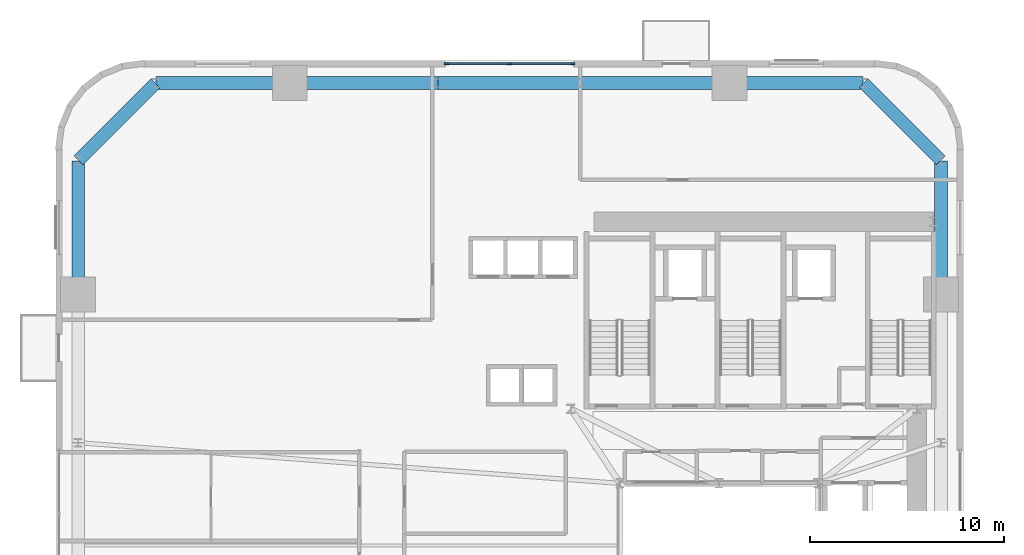
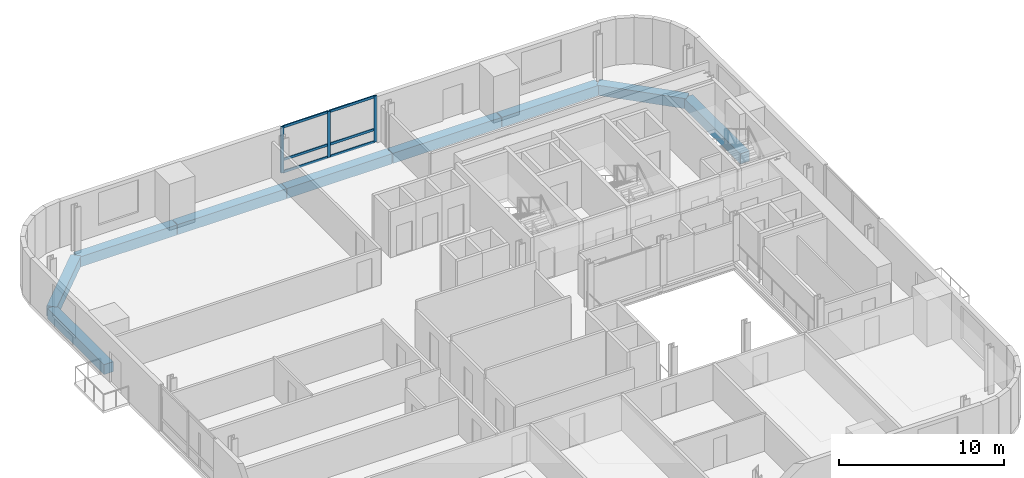
# One storey, part 4 of 13: 9 beams, 9 members, 1 element without a shape of its own.
"""IFC4 building model written with IfcOpenShell, lengths in metres."""

from ifc_helpers import new_model, si_unit, direction, frame, origin, origin_2d, place, context, subcontext, project, spatial, rectangle, extrude, source, transform, mapped, material, material_profile, profile_set, type_object, element, aggregate, save


model = new_model("IFC4")

# Units and contexts
model_context = context("Model", 3, precision=1e-05, world=origin(), true_north=direction((0.0, 1.0)))
body_context = subcontext(model_context, "Body", "Model", "MODEL_VIEW")
ifc_project = project(units=[si_unit("LENGTHUNIT", "METRE"), si_unit("AREAUNIT", "SQUARE_METRE"), si_unit("VOLUMEUNIT", "CUBIC_METRE"), si_unit("PLANEANGLEUNIT", "RADIAN"), si_unit("MASSUNIT", "GRAM", prefix="KILO")], contexts=[model_context])

# Site, building, storey
site_placement = place(None, origin())
site = spatial("IfcSite", under=ifc_project, at=site_placement, CompositionType="ELEMENT")
building_placement = place(site_placement, origin())
building = spatial("IfcBuilding", under=site, at=building_placement, Name="Vardaveli Station Tower", CompositionType="ELEMENT")
storey_placement = place(building_placement, frame((0.0, 0.0, 34.89990234375)))
storey = spatial("IfcBuildingStorey", under=building, at=storey_placement, Name="L08", CompositionType="ELEMENT", Elevation=34.89990234375)

# Beams
ifc_material_1 = material(Name="Precast concrete C45/55", Category="concrete")
ifc_material_profile_1 = material_profile(ifc_material_1, rectangle(XDim=0.64990234375, YDim=0.75, at=origin_2d()), Name="LPB 650x750")
ifc_profile_set_1 = profile_set([ifc_material_profile_1], Name="Precast concrete C45/55")
beam_type = type_object("IfcBeamType", Name="BM-LPB-750", PredefinedType="BEAM", material=ifc_profile_set_1)
shared_shape_1 = source(origin(), body_context, "Body", "SweptSolid", [
    extrude(rectangle(XDim=0.64990234375, YDim=0.75, at=origin_2d()), origin(), (0.0, 0.0, 1.0), 7.60009765625),
])
for number, where, z_axis, x_axis, name in (
    (1, (36.820068359375, 47.449951171875, -0.614990234375), (-1.0, 0.0, 0.0), (0.0, -1.0, 0.0), "RBM-L08-13"),
    (2, (21.780029296875, 47.449951171875, -0.614990234375), (-1.0, 0.0, 0.0), (0.0, -1.0, 0.0), "RBM-L08-15"),
):
    element("IfcBeam", number, at=place(storey_placement, frame(where, z_axis=z_axis, x_axis=x_axis)), inside=storey, type_object=beam_type, Name=name, PredefinedType="BEAM", context=body_context, shape_type="MappedRepresentation", body=[
        mapped(shared_shape_1, transform((0.0, 0.0, 0.0), scale=1.0)),
    ])
shared_shape_2 = source(origin(), body_context, "Body", "SweptSolid", [
    extrude(rectangle(XDim=0.64990234375, YDim=0.75, at=origin_2d()), origin(), (0.0, 0.0, 1.0), 7.35986328125),
])
beam_placement = place(storey_placement, frame((29.179931640625, 47.449951171875, -0.614990234375), z_axis=(-1.0, 0.0, 0.0), x_axis=(0.0, -1.0, 0.0)))
element("IfcBeam", 3, at=beam_placement, inside=storey, type_object=beam_type, Name="RBM-L08-14", PredefinedType="BEAM", context=body_context, shape_type="MappedRepresentation", body=[
    mapped(shared_shape_2, transform((0.0, 0.0, 0.0), scale=1.0)),
])
shared_shape_3 = source(origin(), body_context, "Body", "SweptSolid", [
    extrude(rectangle(XDim=0.64990234375, YDim=0.75, at=origin_2d()), origin(), (0.0, 0.0, 1.0), 6.869873046875),
])
for number, where, z_axis, x_axis, name in (
    (4, (47.75, 36.56005859375, -0.614990234375), (0.0, 1.0, 0.0), (-1.0, 0.0, 0.0), "RBM-L08-10"),
    (5, (43.72998046875, 47.449951171875, -0.614990234375), (-1.0, 0.0, 0.0), (0.0, -1.0, 0.0), "RBM-L08-12"),
    (6, (14.139892578125, 47.449951171875, -0.614990234375), (-1.0, 0.0, 0.0), (0.0, -1.0, 0.0), "RBM-L08-16"),
    (7, (3.25, 43.429931640625, -0.614990234375), (0.0, -1.0, 0.0), (1.0, 0.0, 0.0), "RBM-L08-18"),
):
    element("IfcBeam", number, at=place(storey_placement, frame(where, z_axis=z_axis, x_axis=x_axis)), inside=storey, type_object=beam_type, Name=name, PredefinedType="BEAM", context=body_context, shape_type="MappedRepresentation", body=[
        mapped(shared_shape_3, transform((0.0, 0.0, 0.0), scale=1.0)),
    ])
shared_shape_4 = source(origin(), body_context, "Body", "SweptSolid", [
    extrude(rectangle(XDim=0.64990234375, YDim=0.75, at=origin_2d()), origin(), (0.0, 0.0, 1.0), 5.61669921875),
])
for number, where, z_axis, x_axis, name in (
    (8, (47.73583984375, 43.464111328125, -0.614990234375), (-0.707106781187, 0.707106781187, 0.0), (-0.707106781187, -0.707106781187, 0.0), "RBM-L08-11"),
    (9, (7.23583984375, 47.435791015625, -0.614990234375), (-0.707106781187, -0.707106781187, 0.0), (0.707106781187, -0.707106781187, 0.0), "RBM-L08-17"),
):
    element("IfcBeam", number, at=place(storey_placement, frame(where, z_axis=z_axis, x_axis=x_axis)), inside=storey, type_object=beam_type, Name=name, PredefinedType="BEAM", context=body_context, shape_type="MappedRepresentation", body=[
        mapped(shared_shape_4, transform((0.0, 0.0, 0.0), scale=1.0)),
    ])

# Curtain wall, members
ifc_material_2 = material(Name="Travertine stone and solar-control glass", Category="masonry")
curtain_wall_type = type_object("IfcCurtainWallType", Name="CW-SYS-2", PredefinedType="NOTDEFINED", material=ifc_material_2)
curtain_wall_placement = place(storey_placement, origin())
curtain_wall = element("IfcCurtainWall", 10, at=curtain_wall_placement, inside=storey, type_object=curtain_wall_type, Name="CW-L08-N", PredefinedType="NOTDEFINED")
ifc_material_3 = material(Name="Anodised aluminium alloy 6063-T6", Category="aluminium")
ifc_material_profile_2 = material_profile(ifc_material_3, rectangle(XDim=0.0849609375, YDim=0.179931640625, at=origin_2d()), Name="CWT 85x180")
ifc_profile_set_2 = profile_set([ifc_material_profile_2], Name="Anodised aluminium alloy 6063-T6")
member_type_1 = type_object("IfcMemberType", Name="CW-SYS-2-TRAN", PredefinedType="NOTDEFINED", material=ifc_profile_set_2)
shared_shape_5 = source(origin(), body_context, "Body", "SweptSolid", [
    extrude(rectangle(XDim=0.0849609375, YDim=0.179931640625, at=origin_2d()), origin(), (0.0, 0.0, 1.0), 3.172607421875),
])
member_1_placement = place(storey_placement, frame((28.715087890625, 48.43994140625, 0.04248046875), z_axis=(-1.0, 0.0, 0.0), x_axis=(0.0, -1.0, 0.0)))
member_1 = element("IfcMember", 11, at=member_1_placement, type_object=member_type_1, Name="CW-2 transom 1.1", ObjectType="TRANSOM", PredefinedType="USERDEFINED", context=body_context, shape_type="MappedRepresentation", body=[
    mapped(shared_shape_5, transform((0.0, 0.0, 0.0), scale=1.0)),
])
member_2_placement = place(storey_placement, frame((28.715087890625, 48.43994140625, 0.9501953125), z_axis=(-1.0, 0.0, 0.0), x_axis=(0.0, -1.0, 0.0)))
member_2 = element("IfcMember", 12, at=member_2_placement, type_object=member_type_1, Name="CW-2 transom 1.2", ObjectType="TRANSOM", PredefinedType="USERDEFINED", context=body_context, shape_type="MappedRepresentation", body=[
    mapped(shared_shape_5, transform((0.0, 0.0, 0.0), scale=1.0)),
])
member_3_placement = place(storey_placement, frame((28.715087890625, 48.43994140625, 3.36767578125), z_axis=(-1.0, 0.0, 0.0), x_axis=(0.0, -1.0, 0.0)))
member_3 = element("IfcMember", 13, at=member_3_placement, type_object=member_type_1, Name="CW-2 transom 1.3", ObjectType="TRANSOM", PredefinedType="USERDEFINED", context=body_context, shape_type="MappedRepresentation", body=[
    mapped(shared_shape_5, transform((0.0, 0.0, 0.0), scale=1.0)),
])
member_4_placement = place(storey_placement, frame((25.45751953125, 48.43994140625, 0.04248046875), z_axis=(-1.0, 0.0, 0.0), x_axis=(0.0, -1.0, 0.0)))
member_4 = element("IfcMember", 14, at=member_4_placement, type_object=member_type_1, Name="CW-2 transom 2.1", ObjectType="TRANSOM", PredefinedType="USERDEFINED", context=body_context, shape_type="MappedRepresentation", body=[
    mapped(shared_shape_5, transform((0.0, 0.0, 0.0), scale=1.0)),
])
member_5_placement = place(storey_placement, frame((25.45751953125, 48.43994140625, 0.9501953125), z_axis=(-1.0, 0.0, 0.0), x_axis=(0.0, -1.0, 0.0)))
member_5 = element("IfcMember", 15, at=member_5_placement, type_object=member_type_1, Name="CW-2 transom 2.2", ObjectType="TRANSOM", PredefinedType="USERDEFINED", context=body_context, shape_type="MappedRepresentation", body=[
    mapped(shared_shape_5, transform((0.0, 0.0, 0.0), scale=1.0)),
])
member_6_placement = place(storey_placement, frame((25.45751953125, 48.43994140625, 3.36767578125), z_axis=(-1.0, 0.0, 0.0), x_axis=(0.0, -1.0, 0.0)))
member_6 = element("IfcMember", 16, at=member_6_placement, type_object=member_type_1, Name="CW-2 transom 2.3", ObjectType="TRANSOM", PredefinedType="USERDEFINED", context=body_context, shape_type="MappedRepresentation", body=[
    mapped(shared_shape_5, transform((0.0, 0.0, 0.0), scale=1.0)),
])
ifc_material_profile_3 = material_profile(ifc_material_3, rectangle(XDim=0.0849609375, YDim=0.219970703125, at=origin_2d()), Name="CWM 85x220")
ifc_profile_set_3 = profile_set([ifc_material_profile_3], Name="Anodised aluminium alloy 6063-T6")
member_type_2 = type_object("IfcMemberType", Name="CW-SYS-2-MULL", PredefinedType="MULLION", material=ifc_profile_set_3)
shared_shape_6 = source(origin(), body_context, "Body", "SweptSolid", [
    extrude(rectangle(XDim=0.0849609375, YDim=0.219970703125, at=origin_2d()), origin(), (0.0, 0.0, 1.0), 3.41015625),
])
member_7_placement = place(storey_placement, frame((28.757568359375, 48.43994140625, 0.0), z_axis=(0.0, 0.0, 1.0), x_axis=(0.0, -1.0, 0.0)))
member_7 = element("IfcMember", 17, at=member_7_placement, type_object=member_type_2, Name="CW-2 mullion 1", PredefinedType="MULLION", context=body_context, shape_type="MappedRepresentation", body=[
    mapped(shared_shape_6, transform((0.0, 0.0, 0.0), scale=1.0)),
])
member_8_placement = place(storey_placement, frame((25.5, 48.43994140625, 0.0), z_axis=(0.0, 0.0, 1.0), x_axis=(0.0, -1.0, 0.0)))
member_8 = element("IfcMember", 18, at=member_8_placement, type_object=member_type_2, Name="CW-2 mullion 2", PredefinedType="MULLION", context=body_context, shape_type="MappedRepresentation", body=[
    mapped(shared_shape_6, transform((0.0, 0.0, 0.0), scale=1.0)),
])
member_9_placement = place(storey_placement, frame((22.242431640625, 48.43994140625, 0.0), z_axis=(0.0, 0.0, 1.0), x_axis=(0.0, -1.0, 0.0)))
member_9 = element("IfcMember", 19, at=member_9_placement, type_object=member_type_2, Name="CW-2 mullion 3", PredefinedType="MULLION", context=body_context, shape_type="MappedRepresentation", body=[
    mapped(shared_shape_6, transform((0.0, 0.0, 0.0), scale=1.0)),
])
aggregate(curtain_wall, [member_7, member_8, member_9, member_1, member_2, member_3, member_4, member_5, member_6])

save(model, "model.ifc")
